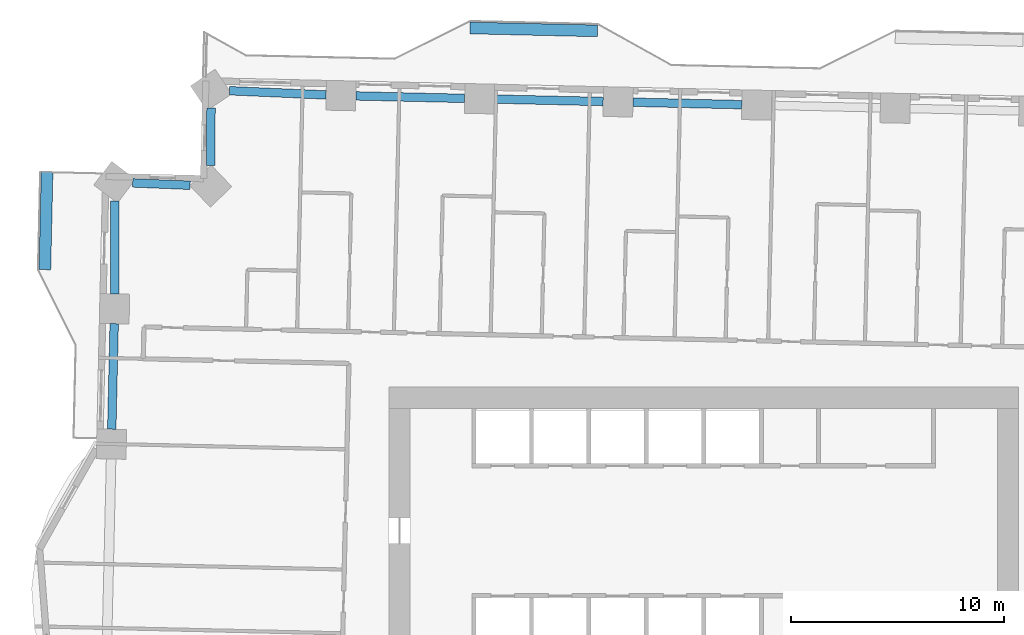
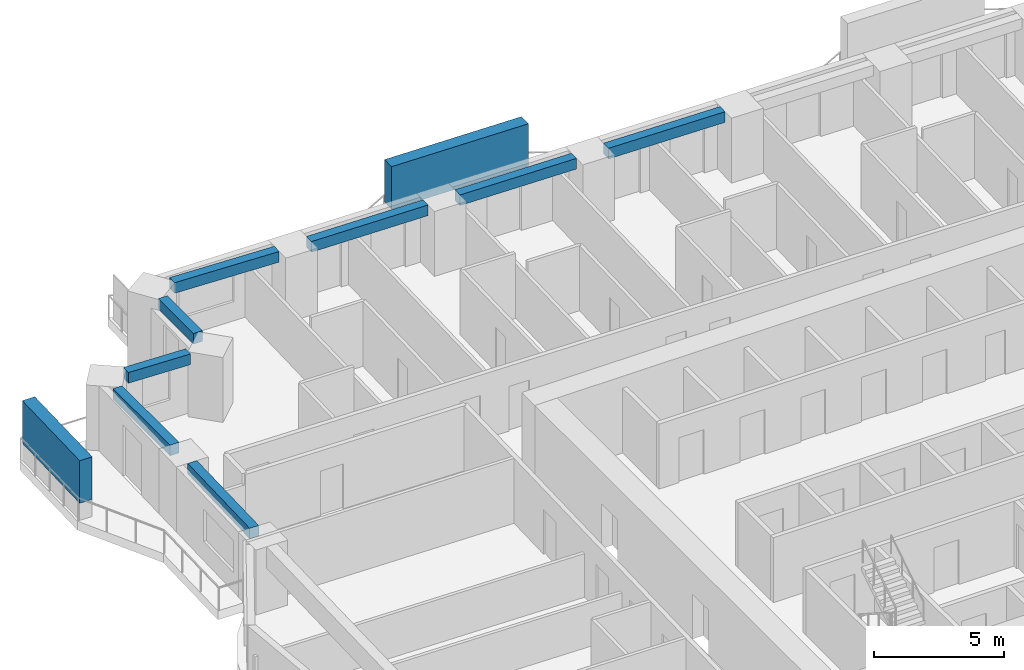
# One storey, part 3 of 16: 8 beams, 2 members.
"""IFC4 building model written with IfcOpenShell, lengths in metres."""

import ifcopenshell
import ifcopenshell.guid

model = None  # the IFC model being written
_history = None  # IfcOwnerHistory: only IFC2X3 demands one
_inside = {}  # id of a spatial element -> (the spatial element, [elements in it])
_under = {}  # id of a project, library or spatial element -> (it, [spatial elements below it])
_declared = {}  # id of a project -> (the project, [libraries it declares])
_typed = {}  # id of a type object -> (the type object, [elements of that type])
_made_of = {}  # id of a material, layer set ... -> (it, [elements and type objects made of it])


def new_model(schema):
    """Start an empty IFC model of exactly this schema.

    Asked for "IFC4X3", IfcOpenShell would pick the latest addendum, in which some entities
    have other attributes; the version numbers below select the first issue.
    IFC2X3 requires an IfcOwnerHistory on every rooted entity: one is made here for all.
    """
    global model, _history
    if schema == "IFC4X3":
        model = ifcopenshell.file(schema_version=(4, 3, 0, 0))
    else:
        model = ifcopenshell.file(schema=schema)
    _inside.clear()
    _under.clear()
    _declared.clear()
    _typed.clear()
    _made_of.clear()
    _history = None
    if model.schema == "IFC2X3":
        org = make("IfcOrganization", Name="unknown")
        user = make(
            "IfcPersonAndOrganization",
            ThePerson=make("IfcPerson", FamilyName="unknown"),
            TheOrganization=org,
        )
        app = make(
            "IfcApplication",
            ApplicationDeveloper=org,
            Version="unknown",
            ApplicationFullName="unknown",
            ApplicationIdentifier="unknown",
        )
        _history = make(
            "IfcOwnerHistory",
            OwningUser=user,
            OwningApplication=app,
            ChangeAction="ADDED",
            CreationDate=0,
        )
    return model


def make(cls, **values):
    """One entity of the class cls with the attributes given. An attribute that is None is left unset."""
    return model.create_entity(
        cls, **{name: value for name, value in values.items() if value is not None}
    )


def rooted(cls, **values):
    """An entity with a GlobalId (a new one), such as an element, a storey or a relation."""
    return make(cls, GlobalId=ifcopenshell.guid.new(), OwnerHistory=_history, **values)


def si_unit(unit_type, name, prefix=None):
    """IfcSIUnit, for example si_unit("LENGTHUNIT", "METRE", prefix="MILLI")."""
    return make("IfcSIUnit", UnitType=unit_type, Prefix=prefix, Name=name)


def assignment(units):
    """IfcUnitAssignment: the units of a project."""
    return None if units is None else make("IfcUnitAssignment", Units=units)


def point(xyz):
    """IfcCartesianPoint."""
    return None if xyz is None else make("IfcCartesianPoint", Coordinates=xyz)


def direction(xyz):
    """IfcDirection."""
    return None if xyz is None else make("IfcDirection", DirectionRatios=xyz)


def frame(location, z_axis=None, x_axis=None):
    """IfcAxis2Placement3D, a coordinate frame: its origin and axes. An axis left out is left unset."""
    return make(
        "IfcAxis2Placement3D",
        Location=point(location),
        Axis=direction(z_axis),
        RefDirection=direction(x_axis),
    )


def frame_2d(location, x_axis=None):
    """IfcAxis2Placement2D, a coordinate frame in the plane: its origin and x axis."""
    return make(
        "IfcAxis2Placement2D", Location=point(location), RefDirection=direction(x_axis)
    )


def origin():
    """The frame at (0, 0, 0) with its axes left unset."""
    return frame((0.0, 0.0, 0.0))


def origin_2d():
    """The frame at (0, 0) in the plane with its x axis left unset."""
    return frame_2d((0.0, 0.0))


def place(relative_to, where):
    """IfcLocalPlacement: puts the frame where relative to a parent placement (None: the world)."""
    return make(
        "IfcLocalPlacement", PlacementRelTo=relative_to, RelativePlacement=where
    )


def context(
    kind, dimensions, precision=None, world=None, true_north=None, identifier=None
):
    """IfcGeometricRepresentationContext, for example the 3D "Model" context."""
    return make(
        "IfcGeometricRepresentationContext",
        ContextIdentifier=identifier,
        ContextType=kind,
        CoordinateSpaceDimension=dimensions,
        Precision=precision,
        WorldCoordinateSystem=world,
        TrueNorth=true_north,
    )


def subcontext(parent, identifier, kind, view, scale=None):
    """IfcGeometricRepresentationSubContext, for example "Body" below "Model"."""
    return make(
        "IfcGeometricRepresentationSubContext",
        ContextIdentifier=identifier,
        ContextType=kind,
        ParentContext=parent,
        TargetScale=scale,
        TargetView=view,
    )


def project(units=None, contexts=None):
    """IfcProject with its units and contexts."""
    return rooted(
        "IfcProject",
        Name="project",
        RepresentationContexts=contexts,
        UnitsInContext=assignment(units),
    )


def spatial(cls, under=None, at=None, **own):
    """A site, building, storey or space (cls), placed at a placement, below another one or the project."""
    s = rooted(cls, ObjectPlacement=at, **own)
    if under is not None:
        _under.setdefault(under.id(), (under, []))[1].append(s)
    return s


def profile(cls, at=None, kind="AREA", **sizes):
    """A parametric profile (cls). Its sizes go by their IFC names, for example OverallWidth=200.0."""
    return make(cls, ProfileType=kind, Position=at, **sizes)


def rectangle(**sizes):
    """IfcRectangleProfileDef."""
    return profile("IfcRectangleProfileDef", **sizes)


def extrude(swept, where, along, depth):
    """IfcExtrudedAreaSolid: the profile swept, set in the frame where, extruded along a direction by depth."""
    return make(
        "IfcExtrudedAreaSolid",
        SweptArea=swept,
        Position=where,
        ExtrudedDirection=direction(along),
        Depth=depth,
    )


def shape(context_of_items, identifier, shape_type, items):
    """IfcShapeRepresentation: the items that make up one representation, for example the "Body"."""
    return make(
        "IfcShapeRepresentation",
        ContextOfItems=context_of_items,
        RepresentationIdentifier=identifier,
        RepresentationType=shape_type,
        Items=items,
    )


def material(Name=None, Category=None):
    """IfcMaterial."""
    return make("IfcMaterial", Name=Name, Category=Category)


def material_profile(
    of_material, cross_section, Name=None, Category=None, Priority=None
):
    """IfcMaterialProfile: a cross section and its material."""
    return make(
        "IfcMaterialProfile",
        Name=Name,
        Material=of_material,
        Profile=cross_section,
        Priority=Priority,
        Category=Category,
    )


def profile_set(profiles, Name=None, composite=None):
    """IfcMaterialProfileSet."""
    return make(
        "IfcMaterialProfileSet",
        Name=Name,
        MaterialProfiles=profiles,
        CompositeProfile=composite,
    )


def made_of(thing, what):
    """Note that an element or type object is made of a material, layer set ...; save() writes the relation."""
    if what is not None:
        _made_of.setdefault(what.id(), (what, []))[1].append(thing)
    return thing


def type_object(cls, material=None, **own):
    """A type object (cls), such as IfcWallType, which elements share."""
    return made_of(rooted(cls, **own), material)


def element(
    cls,
    number,
    at=None,
    inside=None,
    cuts=None,
    type_object=None,
    material=None,
    context=None,
    identifier="Body",
    shape_type=None,
    held_by="IfcProductDefinitionShape",
    body=None,
    shapes=None,
    **own,
):
    """One element of the class cls, such as IfcWall. Its Tag is "e" and its number.

    at: its placement. inside: the storey or other place that contains it. cuts: it is an
    opening in that element (IfcRelVoidsElement). A single representation is given by context,
    identifier, shape_type and body (its items); several are given by shapes. held_by: the class
    of the entity that holds the representations. save() writes the other relations.
    """
    e = rooted(cls, Tag="e%d" % number, ObjectPlacement=at, **own)
    if body is not None:
        shapes = [shape(context, identifier, shape_type, body)]
    if shapes is not None:
        e.Representation = make(held_by, Representations=shapes)
    if inside is not None:
        _inside.setdefault(inside.id(), (inside, []))[1].append(e)
    if cuts is not None:
        rooted(
            "IfcRelVoidsElement", RelatingBuildingElement=cuts, RelatedOpeningElement=e
        )
    if type_object is not None:
        _typed.setdefault(type_object.id(), (type_object, []))[1].append(e)
    return made_of(e, material)


def aggregate(whole, parts):
    """IfcRelAggregates: a whole, such as a stair, and the parts it consists of."""
    return rooted("IfcRelAggregates", RelatingObject=whole, RelatedObjects=parts)


def save(model, path):
    """Write the relations noted so far, then the file.

    IfcRelAggregates (storeys below a building ...), IfcRelContainedInSpatialStructure (elements
    in a storey), IfcRelDefinesByType, IfcRelAssociatesMaterial and IfcRelDeclares: one each for
    every whole, place, type object, material and project.
    """
    for whole, parts in _under.values():
        aggregate(whole, parts)
    for where, things in _inside.values():
        rooted(
            "IfcRelContainedInSpatialStructure",
            RelatedElements=things,
            RelatingStructure=where,
        )
    for kind, things in _typed.values():
        rooted("IfcRelDefinesByType", RelatedObjects=things, RelatingType=kind)
    for what, things in _made_of.values():
        rooted("IfcRelAssociatesMaterial", RelatedObjects=things, RelatingMaterial=what)
    for by, libraries in _declared.values():
        rooted("IfcRelDeclares", RelatingContext=by, RelatedDefinitions=libraries)
    model.write(path)


model = new_model("IFC4")

# Units and contexts
model_context = context("Model", 3, precision=1e-05, world=origin(), true_north=direction((0.0, 1.0)))
body_context = subcontext(model_context, "Body", "Model", "MODEL_VIEW")
ifc_project = project(units=[si_unit("LENGTHUNIT", "METRE"), si_unit("AREAUNIT", "SQUARE_METRE"), si_unit("VOLUMEUNIT", "CUBIC_METRE"), si_unit("PLANEANGLEUNIT", "RADIAN"), si_unit("MASSUNIT", "GRAM", prefix="KILO")], contexts=[model_context])

# Site, building, storey
site_placement = place(None, origin())
site = spatial("IfcSite", under=ifc_project, at=site_placement, CompositionType="ELEMENT")
building_placement = place(site_placement, origin())
building = spatial("IfcBuilding", under=site, at=building_placement, Name="Mangrove Gate Tower", CompositionType="ELEMENT")
storey_placement = place(building_placement, frame((0.0, 0.0, 109.10009765625)))
storey = spatial("IfcBuildingStorey", under=building, at=storey_placement, Name="L27", CompositionType="ELEMENT", Elevation=109.10009765625)

# Members
ifc_material_1 = material(Name="Planting on aluminium trellis", Category="aluminium")
ifc_material_profile_1 = material_profile(ifc_material_1, rectangle(XDim=0.550048828125, YDim=2.0, at=origin_2d()))
ifc_profile_set_1 = profile_set([ifc_material_profile_1], Name="Planting on aluminium trellis")
member_type = type_object("IfcMemberType", Name="Balcony greenery screen 550x2000", PredefinedType="USERDEFINED", material=ifc_profile_set_1)
member_1_placement = place(storey_placement, frame((-10.989013671875, 28.68505859375, 1.7998046875), z_axis=(0.999743178102, -0.022662255828, 0.0), x_axis=(0.022662255828, 0.999743178102, 0.0)))
element("IfcMember", 1, at=member_1_placement, inside=storey, type_object=member_type, Name="GREEN SCREEN L27 N1.1", ObjectType="PLANTING", PredefinedType="USERDEFINED", context=body_context, shape_type="SweptSolid", body=[
    extrude(rectangle(XDim=0.550048828125, YDim=2.0, at=origin_2d()), origin(), (0.0, 0.0, 1.0), 6.00048828125),
])
member_2_placement = place(storey_placement, frame((-30.970947265625, 17.321044921875, 1.7998046875), z_axis=(0.022614084774, 0.999744268886, 0.0), x_axis=(-0.999744268886, 0.022614084774, 0.0)))
element("IfcMember", 2, at=member_2_placement, inside=storey, type_object=member_type, Name="GREEN SCREEN L27 W0.1", ObjectType="PLANTING", PredefinedType="USERDEFINED", context=body_context, shape_type="SweptSolid", body=[
    extrude(rectangle(XDim=0.550048828125, YDim=2.0, at=origin_2d()), origin(), (0.0, 0.0, 1.0), 4.59912109375),
])

# Beams
ifc_material_2 = material(Name="Concrete C50/60", Category="concrete")
ifc_material_profile_2 = material_profile(ifc_material_2, rectangle(XDim=0.39990234375, YDim=0.5, at=origin_2d()))
ifc_profile_set_2 = profile_set([ifc_material_profile_2], Name="Concrete C50/60")
beam_type = type_object("IfcBeamType", Name="Edge beam RC 400x500 C50/60", PredefinedType="BEAM", material=ifc_profile_set_2)
beam_1_placement = place(storey_placement, frame((1.790283203125, 25.0791015625, 2.7998046875), z_axis=(-0.99974193409, 0.022717068963, 0.0), x_axis=(-0.022717068963, -0.99974193409, 0.0)))
element("IfcBeam", 3, at=beam_1_placement, inside=storey, type_object=beam_type, Name="Edge beam L27 23", PredefinedType="BEAM", context=body_context, shape_type="SweptSolid", body=[
    extrude(rectangle(XDim=0.39990234375, YDim=0.5, at=origin_2d()), origin(), (0.0, 0.0, 1.0), 5.115478515625),
])
beam_2_placement = place(storey_placement, frame((-4.7236328125, 25.22705078125, 2.7998046875), z_axis=(-0.999741958717, 0.022715985123, 0.0), x_axis=(-0.022715985123, -0.999741958717, 0.0)))
element("IfcBeam", 4, at=beam_2_placement, inside=storey, type_object=beam_type, Name="Edge beam L27 24", PredefinedType="BEAM", context=body_context, shape_type="SweptSolid", body=[
    extrude(rectangle(XDim=0.39990234375, YDim=0.5, at=origin_2d()), origin(), (0.0, 0.0, 1.0), 5.11572265625),
])
beam_3_placement = place(storey_placement, frame((-11.23779296875, 25.375, 2.7998046875), z_axis=(-0.999741835545, 0.022721405353, 0.0), x_axis=(-0.022721405353, -0.999741835545, 0.0)))
element("IfcBeam", 5, at=beam_3_placement, inside=storey, type_object=beam_type, Name="Edge beam L27 25", PredefinedType="BEAM", context=body_context, shape_type="SweptSolid", body=[
    extrude(rectangle(XDim=0.39990234375, YDim=0.5, at=origin_2d()), origin(), (0.0, 0.0, 1.0), 5.114501953125),
])
beam_4_placement = place(storey_placement, frame((-17.750244140625, 25.53759765625, 2.7998046875), z_axis=(-0.999052301684, 0.043525837154, 0.0), x_axis=(-0.043525837154, -0.999052301684, 0.0)))
element("IfcBeam", 6, at=beam_4_placement, inside=storey, type_object=beam_type, Name="Edge beam L27 26", PredefinedType="BEAM", context=body_context, shape_type="SweptSolid", body=[
    extrude(rectangle(XDim=0.39990234375, YDim=0.5, at=origin_2d()), origin(), (0.0, 0.0, 1.0), 4.54345703125),
])
beam_5_placement = place(storey_placement, frame((-23.16064453125, 24.927978515625, 2.7998046875), z_axis=(-0.002614959499, -0.999996580988, 0.0), x_axis=(0.999996580988, -0.002614959499, 0.0)))
element("IfcBeam", 7, at=beam_5_placement, inside=storey, type_object=beam_type, Name="Edge beam L27 27", PredefinedType="BEAM", context=body_context, shape_type="SweptSolid", body=[
    extrude(rectangle(XDim=0.39990234375, YDim=0.5, at=origin_2d()), origin(), (0.0, 0.0, 1.0), 2.70751953125),
])
beam_6_placement = place(storey_placement, frame((-24.1416015625, 21.2900390625, 2.7998046875), z_axis=(-0.999144150658, 0.041363827262, 0.0), x_axis=(-0.041363827262, -0.999144150658, 0.0)))
element("IfcBeam", 8, at=beam_6_placement, inside=storey, type_object=beam_type, Name="Edge beam L27 28", PredefinedType="BEAM", context=body_context, shape_type="SweptSolid", body=[
    extrude(rectangle(XDim=0.39990234375, YDim=0.5, at=origin_2d()), origin(), (0.0, 0.0, 1.0), 2.703125),
])
beam_7_placement = place(storey_placement, frame((-27.694580078125, 20.55908203125, 2.7998046875), z_axis=(-0.000502148015, -0.999999873924, 0.0), x_axis=(0.999999873924, -0.000502148015, 0.0)))
element("IfcBeam", 9, at=beam_7_placement, inside=storey, type_object=beam_type, Name="Edge beam L27 29", PredefinedType="BEAM", context=body_context, shape_type="SweptSolid", body=[
    extrude(rectangle(XDim=0.39990234375, YDim=0.5, at=origin_2d()), origin(), (0.0, 0.0, 1.0), 4.375732421875),
])
beam_8_placement = place(storey_placement, frame((-27.713134765625, 14.783203125, 2.7998046875), z_axis=(-0.022630883757, -0.999743888754, 0.0), x_axis=(0.999743888754, -0.022630883757, 0.0)))
element("IfcBeam", 10, at=beam_8_placement, inside=storey, type_object=beam_type, Name="Edge beam L27 30", PredefinedType="BEAM", context=body_context, shape_type="SweptSolid", body=[
    extrude(rectangle(XDim=0.39990234375, YDim=0.5, at=origin_2d()), origin(), (0.0, 0.0, 1.0), 4.96240234375),
])

save(model, "model.ifc")
